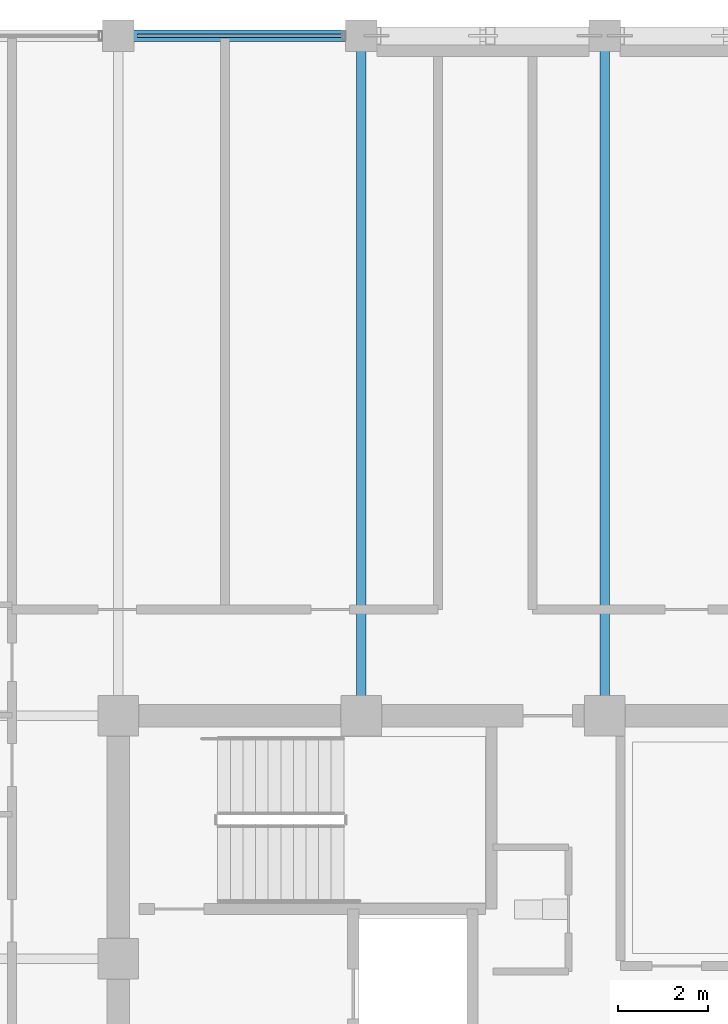
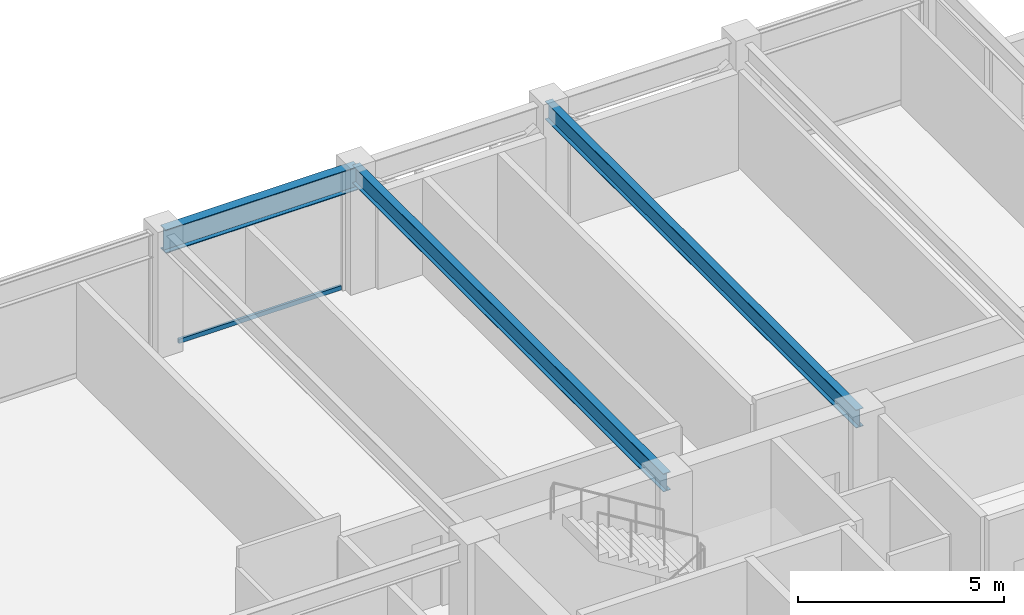
# One storey, part 18 of 31: 3 beams, 1 member, 1 element without a shape of its own.
"""IFC4 building model written with IfcOpenShell, lengths in metres."""

from ifc_helpers import new_model, si_unit, direction, frame, origin, origin_2d, place, context, subcontext, project, spatial, hollow_rectangle, i_section, extrude, material, layer, layer_set, material_profile, profile_set, type_object, element, aggregate, save


model = new_model("IFC4")

# Units and contexts
model_context = context("Model", 3, precision=1e-05, world=origin(), true_north=direction((0.0, 1.0)))
body_context = subcontext(model_context, "Body", "Model", "MODEL_VIEW")
ifc_project = project(units=[si_unit("LENGTHUNIT", "METRE"), si_unit("AREAUNIT", "SQUARE_METRE"), si_unit("VOLUMEUNIT", "CUBIC_METRE"), si_unit("PLANEANGLEUNIT", "RADIAN"), si_unit("MASSUNIT", "GRAM", prefix="KILO")], contexts=[model_context])

# Site, building, storey
site_placement = place(None, origin())
site = spatial("IfcSite", under=ifc_project, at=site_placement, CompositionType="ELEMENT")
building_placement = place(site_placement, origin())
building = spatial("IfcBuilding", under=site, at=building_placement, Name="Surkhivell Harbour Commons", CompositionType="ELEMENT")
storey_placement = place(building_placement, frame((0.0, 0.0, 288.75)))
storey = spatial("IfcBuildingStorey", under=building, at=storey_placement, Name="L75", CompositionType="ELEMENT", Elevation=288.75)

# Beams
ifc_material_1 = material(Name="Steel S355", Category="steel")
ifc_material_profile_1 = material_profile(ifc_material_1, i_section(OverallWidth=0.2099609375, OverallDepth=0.537109375, WebThickness=0.0107421875, FlangeThickness=0.017333984375, at=origin_2d()), Name="UB533x210x101")
ifc_profile_set_1 = profile_set([ifc_material_profile_1], Name="Steel S355")
beam_type_1 = type_object("IfcBeamType", Name="BM-GRD-533B", PredefinedType="BEAM", material=ifc_profile_set_1)
for number, where, z_axis, x_axis, name in (
    (1, (-5.39990234375, 10.800048828125, 3.301513671875), (0.0, 1.0, 0.0), (-1.0, 0.0, 0.0), "L75 Floor Girder (-5.4,10.8)"),
    (2, (0.0, 10.800048828125, 3.301513671875), (0.0, 1.0, 0.0), (-1.0, 0.0, 0.0), "L75 Floor Girder (0.0,10.8)"),
):
    element("IfcBeam", number, at=place(storey_placement, frame(where, z_axis=z_axis, x_axis=x_axis)), inside=storey, type_object=beam_type_1, Name=name, PredefinedType="BEAM", context=body_context, shape_type="SweptSolid", body=[
        extrude(i_section(OverallWidth=0.2099609375, OverallDepth=0.537109375, WebThickness=0.0107421875, FlangeThickness=0.017333984375, at=origin_2d()), origin(), (0.0, 0.0, 1.0), 15.099853515625),
    ])
ifc_material_profile_2 = material_profile(ifc_material_1, i_section(OverallWidth=0.256103515625, OverallDepth=0.693115234375, WebThickness=0.014404296875, FlangeThickness=0.023681640625, at=origin_2d()), Name="UB686x254x170")
ifc_profile_set_2 = profile_set([ifc_material_profile_2], Name="Steel S355")
beam_type_2 = type_object("IfcBeamType", Name="BM-SPN-686", PredefinedType="SPANDREL", material=ifc_profile_set_2)
beam_placement = place(storey_placement, frame((-10.800048828125, 25.89990234375, 3.223388671875), z_axis=(1.0, 0.0, 0.0), x_axis=(0.0, 1.0, 0.0)))
element("IfcBeam", 3, at=beam_placement, inside=storey, type_object=beam_type_2, Name="L75 Tube Spandrel (-10.8,25.9)", PredefinedType="SPANDREL", context=body_context, shape_type="SweptSolid", body=[
    extrude(i_section(OverallWidth=0.256103515625, OverallDepth=0.693115234375, WebThickness=0.014404296875, FlangeThickness=0.023681640625, at=origin_2d()), origin(), (0.0, 0.0, 1.0), 5.400146484375),
])

# Curtain wall, member
ifc_material_2 = material(Name="Anodised pale-metal aluminium and insulated glazing", Category="aluminium")
ifc_layer = layer(ifc_material_2, 0.175048828125)
ifc_layer_set = layer_set([ifc_layer], Name="Anodised pale-metal aluminium and insulated glazing")
curtain_wall_type = type_object("IfcCurtainWallType", Name="CW-SYS-Z4", PredefinedType="NOTDEFINED", material=ifc_layer_set)
curtain_wall_placement = place(storey_placement, origin())
curtain_wall = element("IfcCurtainWall", 4, at=curtain_wall_placement, inside=storey, type_object=curtain_wall_type, Name="L75 Curtain Wall CW-L75-E07S2", PredefinedType="NOTDEFINED")
ifc_material_3 = material(Name="Champagne anodised aluminium alloy 6063-T6", Category="aluminium")
ifc_material_profile_3 = material_profile(ifc_material_3, hollow_rectangle(XDim=0.070068359375, YDim=0.1298828125, WallThickness=0.00341796875, at=origin_2d()), Name="ALU-TRAN-70x130")
ifc_profile_set_3 = profile_set([ifc_material_profile_3], Name="Champagne anodised aluminium alloy 6063-T6")
member_type = type_object("IfcMemberType", Name="CWT-130", PredefinedType="USERDEFINED", material=ifc_profile_set_3)
member_placement = place(storey_placement, frame((-5.826904296875, 25.89990234375, 0.06494140625), z_axis=(-1.0, 0.0, 0.0), x_axis=(0.0, -1.0, 0.0)))
member = element("IfcMember", 5, at=member_placement, type_object=member_type, Name="CW-Z4 transom 1.1", ObjectType="TRANSOM", PredefinedType="USERDEFINED", context=body_context, shape_type="SweptSolid", body=[
    extrude(hollow_rectangle(XDim=0.070068359375, YDim=0.1298828125, WallThickness=0.00341796875, at=origin_2d()), origin(), (0.0, 0.0, 1.0), 4.546142578125),
])
aggregate(curtain_wall, [member])

save(model, "model.ifc")
